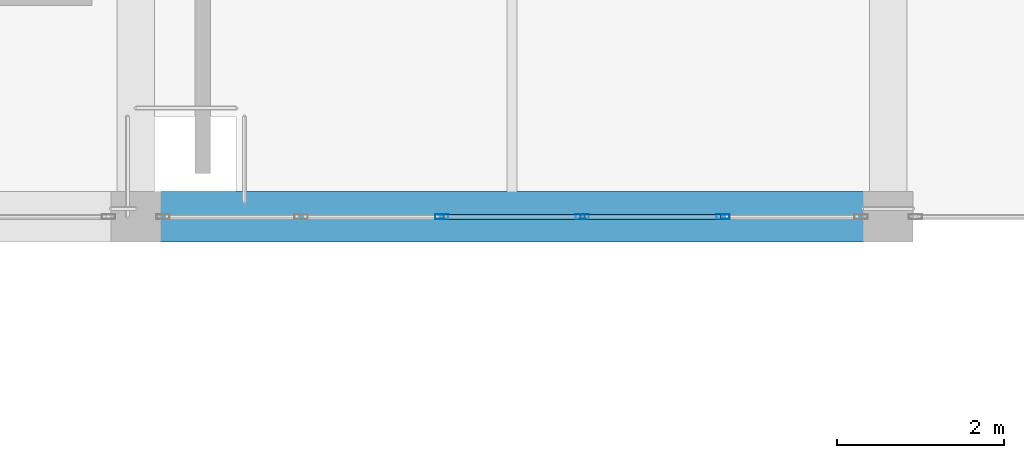
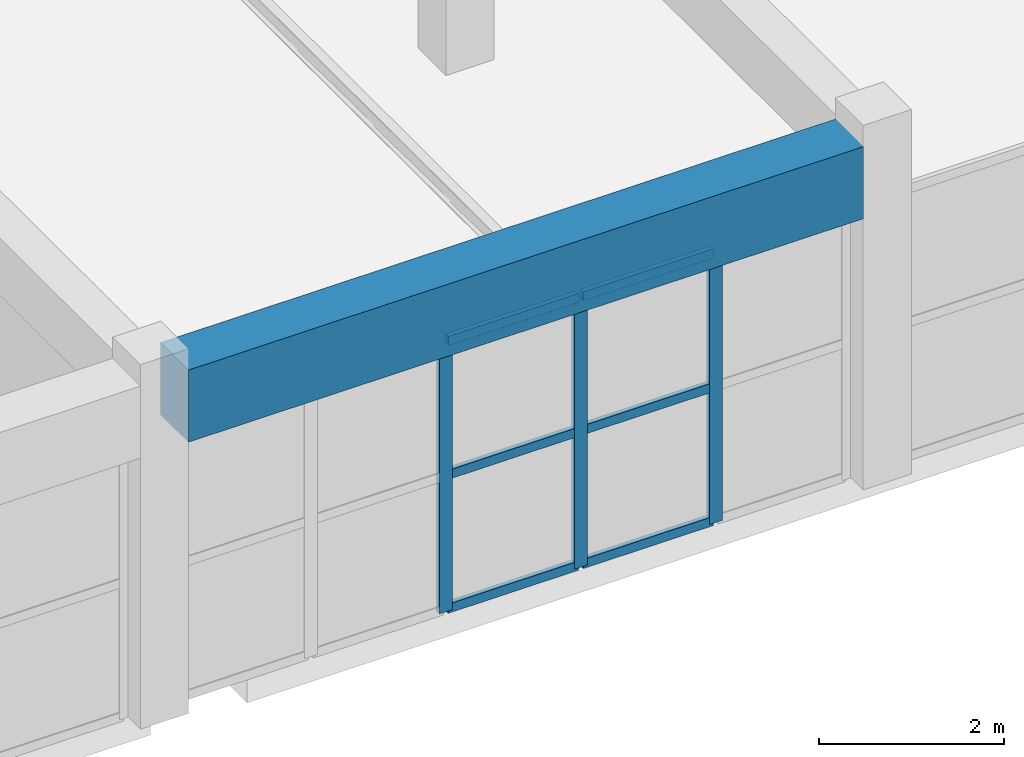
# One storey, part 39 of 89: 9 members, 1 beam, 1 element without a shape of its own.
"""IFC4 building model written with IfcOpenShell, lengths in metres."""

from ifc_helpers import new_model, si_unit, direction, frame, origin, origin_2d, place, context, subcontext, project, spatial, rectangle, hollow_rectangle, extrude, material, layer, layer_set, material_profile, profile_set, type_object, element, aggregate, save


model = new_model("IFC4")

# Units and contexts
model_context = context("Model", 3, precision=1e-05, world=origin(), true_north=direction((0.0, 1.0)))
body_context = subcontext(model_context, "Body", "Model", "MODEL_VIEW")
ifc_project = project(units=[si_unit("LENGTHUNIT", "METRE"), si_unit("AREAUNIT", "SQUARE_METRE"), si_unit("VOLUMEUNIT", "CUBIC_METRE"), si_unit("PLANEANGLEUNIT", "RADIAN"), si_unit("MASSUNIT", "GRAM", prefix="KILO")], contexts=[model_context])

# Site, building, storey
site_placement = place(None, origin())
site = spatial("IfcSite", under=ifc_project, at=site_placement, CompositionType="ELEMENT")
building_placement = place(site_placement, origin())
building = spatial("IfcBuilding", under=site, at=building_placement, Name="Dornveld Trade and Exhibition Forum", CompositionType="ELEMENT")
storey_placement = place(building_placement, frame((0.0, 0.0, 12.0)))
storey = spatial("IfcBuildingStorey", under=building, at=storey_placement, Name="L02", CompositionType="ELEMENT", Elevation=12.0)

# Beam
ifc_material_1 = material(Name="Precast concrete C50/60", Category="concrete")
ifc_material_profile_1 = material_profile(ifc_material_1, rectangle(XDim=0.60009765625, YDim=0.949951171875, at=origin_2d()), Name="PC-GIR 600x950")
ifc_profile_set_1 = profile_set([ifc_material_profile_1], Name="Precast concrete C50/60")
beam_type = type_object("IfcBeamType", Name="BM-PC-600x950", PredefinedType="T_BEAM", material=ifc_profile_set_1)
beam_placement = place(storey_placement, frame((189.2958984375, 108.0, 4.044921875), z_axis=(1.0, 0.0, 0.0), x_axis=(0.0, 1.0, 0.0)))
element("IfcBeam", 1, at=beam_placement, inside=storey, type_object=beam_type, Name="L02 X-girder 1587", PredefinedType="T_BEAM", context=body_context, shape_type="SweptSolid", body=[
    extrude(rectangle(XDim=0.60009765625, YDim=0.949951171875, at=origin_2d()), origin(), (0.0, 0.0, 1.0), 8.408203125),
])

# Curtain wall, members
ifc_material_2 = material(Name="Dark-bronze anodised aluminium and low-E glass", Category="aluminium")
ifc_layer = layer(ifc_material_2, 0.1630859375)
ifc_layer_set = layer_set([ifc_layer], Name="Dark-bronze anodised aluminium and low-E glass")
curtain_wall_type = type_object("IfcCurtainWallType", Name="CW-SYS-07", PredefinedType="USERDEFINED", material=ifc_layer_set)
curtain_wall_placement = place(storey_placement, origin())
curtain_wall = element("IfcCurtainWall", 2, at=curtain_wall_placement, inside=storey, type_object=curtain_wall_type, Name="L02 unitised curtain wall 115", ObjectType="UNITISED_CURTAIN_WALL", PredefinedType="USERDEFINED")
ifc_material_3 = material(Name="Dark-bronze anodised aluminium", Category="aluminium")
ifc_material_profile_2 = material_profile(ifc_material_3, hollow_rectangle(XDim=0.06005859375, YDim=0.159912109375, WallThickness=0.00390625, at=origin_2d()), Name="RHS 160x60x4")
ifc_profile_set_2 = profile_set([ifc_material_profile_2], Name="Dark-bronze anodised aluminium")
member_type_1 = type_object("IfcMemberType", Name="CW-MUL-160", PredefinedType="MULLION", material=ifc_profile_set_2)
member_1_placement = place(storey_placement, frame((192.6591796875, 108.0, -0.00390625), z_axis=(0.0, 0.0, 1.0), x_axis=(0.0, 1.0, 0.0)))
member_1 = element("IfcMember", 3, at=member_1_placement, type_object=member_type_1, Name="CW-07 mullion 3", PredefinedType="MULLION", context=body_context, shape_type="SweptSolid", body=[
    extrude(hollow_rectangle(XDim=0.06005859375, YDim=0.159912109375, WallThickness=0.00390625, at=origin_2d()), origin(), (0.0, 0.0, 1.0), 3.583984375),
])
member_2_placement = place(storey_placement, frame((194.3408203125, 108.0, -0.00390625), z_axis=(0.0, 0.0, 1.0), x_axis=(0.0, 1.0, 0.0)))
member_2 = element("IfcMember", 4, at=member_2_placement, type_object=member_type_1, Name="CW-07 mullion 4", PredefinedType="MULLION", context=body_context, shape_type="SweptSolid", body=[
    extrude(hollow_rectangle(XDim=0.06005859375, YDim=0.159912109375, WallThickness=0.00390625, at=origin_2d()), origin(), (0.0, 0.0, 1.0), 3.583984375),
])
member_3_placement = place(storey_placement, frame((196.0224609375, 108.0, -0.00390625), z_axis=(0.0, 0.0, 1.0), x_axis=(0.0, 1.0, 0.0)))
member_3 = element("IfcMember", 5, at=member_3_placement, type_object=member_type_1, Name="CW-07 mullion 5", PredefinedType="MULLION", context=body_context, shape_type="SweptSolid", body=[
    extrude(hollow_rectangle(XDim=0.06005859375, YDim=0.159912109375, WallThickness=0.00390625, at=origin_2d()), origin(), (0.0, 0.0, 1.0), 3.583984375),
])
ifc_material_4 = material(Name="Dark-bronze anodised aluminium", Category="aluminium")
ifc_material_profile_3 = material_profile(ifc_material_4, hollow_rectangle(XDim=0.06005859375, YDim=0.1201171875, WallThickness=0.00390625, at=origin_2d()), Name="RHS 120x60x4")
ifc_profile_set_3 = profile_set([ifc_material_profile_3], Name="Dark-bronze anodised aluminium")
member_type_2 = type_object("IfcMemberType", Name="CW-TRN-120", PredefinedType="USERDEFINED", material=ifc_profile_set_3)
member_4_placement = place(storey_placement, frame((192.689208984375, 108.0, 0.02587890625), z_axis=(1.0, 0.0, 0.0), x_axis=(0.0, 1.0, 0.0)))
member_4 = element("IfcMember", 6, at=member_4_placement, type_object=member_type_2, Name="CW-07 transom 3.1", ObjectType="TRANSOM", PredefinedType="USERDEFINED", context=body_context, shape_type="SweptSolid", body=[
    extrude(hollow_rectangle(XDim=0.06005859375, YDim=0.1201171875, WallThickness=0.00390625, at=origin_2d()), origin(), (0.0, 0.0, 1.0), 1.62158203125),
])
member_5_placement = place(storey_placement, frame((192.689208984375, 108.0, 1.7880859375), z_axis=(1.0, 0.0, 0.0), x_axis=(0.0, 1.0, 0.0)))
member_5 = element("IfcMember", 7, at=member_5_placement, type_object=member_type_2, Name="CW-07 transom 3.2", ObjectType="TRANSOM", PredefinedType="USERDEFINED", context=body_context, shape_type="SweptSolid", body=[
    extrude(hollow_rectangle(XDim=0.06005859375, YDim=0.1201171875, WallThickness=0.00390625, at=origin_2d()), origin(), (0.0, 0.0, 1.0), 1.62158203125),
])
member_6_placement = place(storey_placement, frame((192.689208984375, 108.0, 3.550048828125), z_axis=(1.0, 0.0, 0.0), x_axis=(0.0, 1.0, 0.0)))
member_6 = element("IfcMember", 8, at=member_6_placement, type_object=member_type_2, Name="CW-07 transom 3.3", ObjectType="TRANSOM", PredefinedType="USERDEFINED", context=body_context, shape_type="SweptSolid", body=[
    extrude(hollow_rectangle(XDim=0.06005859375, YDim=0.1201171875, WallThickness=0.00390625, at=origin_2d()), origin(), (0.0, 0.0, 1.0), 1.62158203125),
])
member_7_placement = place(storey_placement, frame((194.370849609375, 108.0, 0.02587890625), z_axis=(1.0, 0.0, 0.0), x_axis=(0.0, 1.0, 0.0)))
member_7 = element("IfcMember", 9, at=member_7_placement, type_object=member_type_2, Name="CW-07 transom 4.1", ObjectType="TRANSOM", PredefinedType="USERDEFINED", context=body_context, shape_type="SweptSolid", body=[
    extrude(hollow_rectangle(XDim=0.06005859375, YDim=0.1201171875, WallThickness=0.00390625, at=origin_2d()), origin(), (0.0, 0.0, 1.0), 1.62158203125),
])
member_8_placement = place(storey_placement, frame((194.370849609375, 108.0, 1.7880859375), z_axis=(1.0, 0.0, 0.0), x_axis=(0.0, 1.0, 0.0)))
member_8 = element("IfcMember", 10, at=member_8_placement, type_object=member_type_2, Name="CW-07 transom 4.2", ObjectType="TRANSOM", PredefinedType="USERDEFINED", context=body_context, shape_type="SweptSolid", body=[
    extrude(hollow_rectangle(XDim=0.06005859375, YDim=0.1201171875, WallThickness=0.00390625, at=origin_2d()), origin(), (0.0, 0.0, 1.0), 1.62158203125),
])
member_9_placement = place(storey_placement, frame((194.370849609375, 108.0, 3.550048828125), z_axis=(1.0, 0.0, 0.0), x_axis=(0.0, 1.0, 0.0)))
member_9 = element("IfcMember", 11, at=member_9_placement, type_object=member_type_2, Name="CW-07 transom 4.3", ObjectType="TRANSOM", PredefinedType="USERDEFINED", context=body_context, shape_type="SweptSolid", body=[
    extrude(hollow_rectangle(XDim=0.06005859375, YDim=0.1201171875, WallThickness=0.00390625, at=origin_2d()), origin(), (0.0, 0.0, 1.0), 1.62158203125),
])
aggregate(curtain_wall, [member_1, member_2, member_3, member_4, member_5, member_6, member_7, member_8, member_9])

save(model, "model.ifc")
